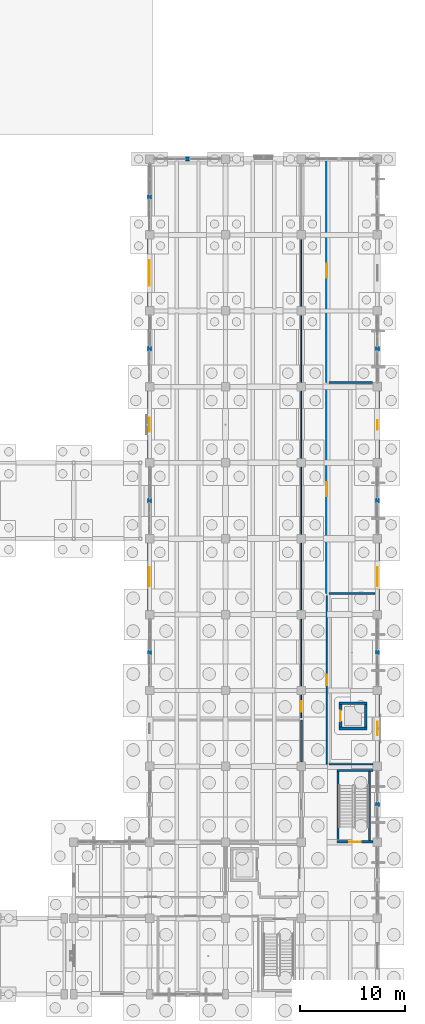
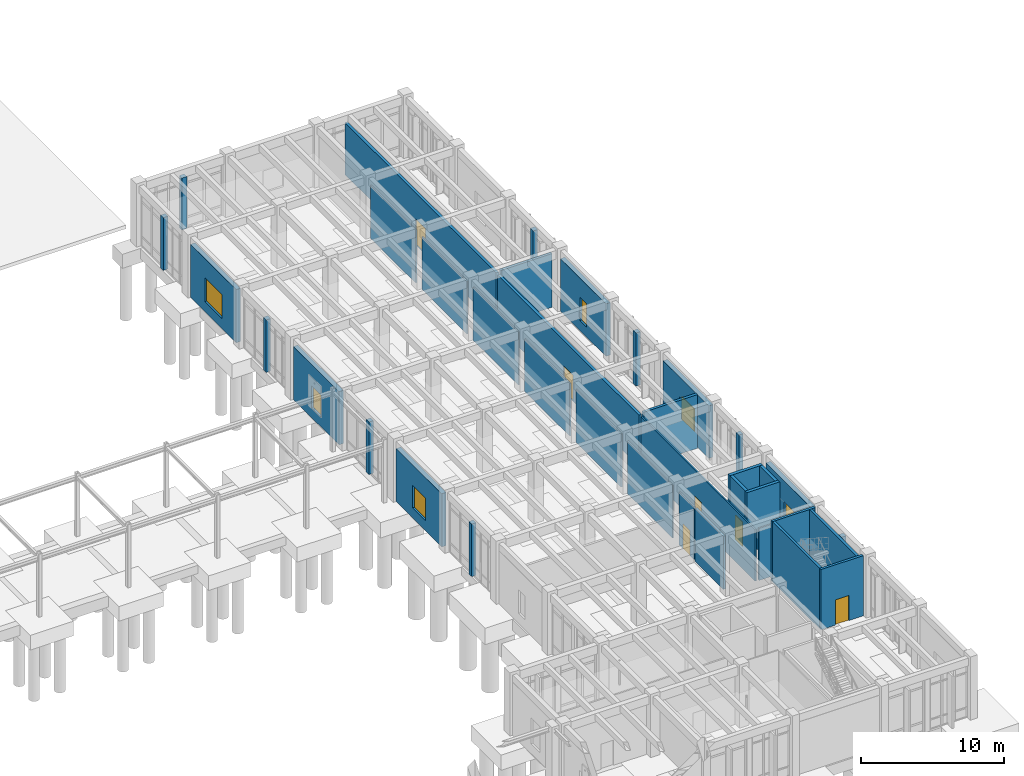
# One storey, part 71 of 93: 37 walls, 6 doors, 6 windows, 12 openings.
"""IFC4 building model written with IfcOpenShell, lengths in metres."""

from ifc_helpers import new_model, si_unit, direction, frame, frame_2d, origin, place, context, subcontext, project, spatial, rectangle, extrude, material, layer, layer_set, type_object, element, fill, save


model = new_model("IFC4")

# Units and contexts
model_context = context("Model", 3, precision=1e-05, world=origin(), true_north=direction((0.0, 1.0)))
body_context = subcontext(model_context, "Body", "Model", "MODEL_VIEW")
ifc_project = project(units=[si_unit("LENGTHUNIT", "METRE"), si_unit("AREAUNIT", "SQUARE_METRE"), si_unit("VOLUMEUNIT", "CUBIC_METRE"), si_unit("PLANEANGLEUNIT", "RADIAN"), si_unit("MASSUNIT", "GRAM", prefix="KILO")], contexts=[model_context])

# Site, building, storey
site_placement = place(None, origin())
site = spatial("IfcSite", under=ifc_project, at=site_placement, CompositionType="ELEMENT")
building_placement = place(site_placement, origin())
building = spatial("IfcBuilding", under=site, at=building_placement, Name="Koriwan Promenade Central Fire Station", CompositionType="ELEMENT")
storey_placement = place(building_placement, origin())
storey = spatial("IfcBuildingStorey", under=building, at=storey_placement, Name="L00", CompositionType="ELEMENT", Elevation=0.0)

# Wall
ifc_material_1 = material(Name="Natural sillar sandstone ashlar", Category="masonry")
ifc_layer_1 = layer(ifc_material_1, 0.360107421875, Name="Natural sillar sandstone ashlar")
ifc_layer_set_1 = layer_set([ifc_layer_1], Name="Natural sillar sandstone ashlar")
wall_type_1 = type_object("IfcWallType", Name="ExtWall_SillarBase_360", PredefinedType="SOLIDWALL", material=ifc_layer_set_1)
wall_1_placement = place(storey_placement, frame((151.199951171875, 32.199951171875, 0.0), z_axis=(0.0, 0.0, 1.0), x_axis=(0.0, 1.0, 0.0)))
element("IfcWall", 1, at=wall_1_placement, inside=storey, type_object=wall_type_1, Name="V5 L00 sillar facade mullion pier 214", PredefinedType="SOLIDWALL", context=body_context, shape_type="SweptSolid", body=[
    extrude(rectangle(XDim=0.400146484375, YDim=0.360107421875, at=frame_2d((0.2001953125, 0.0))), origin(), (0.0, 0.0, 1.0), 4.489990234375),
])

# Wall, opening, window
wall_2_placement = place(storey_placement, frame((151.199951171875, 36.39990234375, 0.0), z_axis=(0.0, 0.0, 1.0), x_axis=(0.0, 1.0, 0.0)))
wall_2 = element("IfcWall", 2, at=wall_2_placement, inside=storey, type_object=wall_type_1, Name="V5 L00 exterior wall 215", PredefinedType="SOLIDWALL", context=body_context, shape_type="SweptSolid", body=[
    extrude(rectangle(XDim=6.400146484375, YDim=0.360107421875, at=frame_2d((3.2001953125, 0.0))), origin(), (0.0, 0.0, 1.0), 4.5400390625),
])
opening_1_placement = place(wall_2_placement, frame((2.300048828125, 0.0, 0.85009765625)))
opening_1 = element("IfcOpeningElement", 3, at=opening_1_placement, cuts=wall_2, Name="Opening W-06", PredefinedType="OPENING", context=body_context, shape_type="SweptSolid", body=[
    extrude(rectangle(XDim=1.800048828125, YDim=1.949951171875, at=frame_2d((0.89990234375, 0.97509765625))), frame((0.0, 0.19189453125, 0.0), z_axis=(0.0, -1.0, 0.0), x_axis=(1.0, 0.0, 0.0)), (0.0, 0.0, 1.0), 0.384033203125),
])
ifc_material_2 = material(Name="Solar-control low-E laminated double glazing", Category="glass")
window_type_1 = type_object("IfcWindowType", Name="Win_HQ_1800x1950", PartitioningType="SINGLE_PANEL", PredefinedType="WINDOW", material=ifc_material_2)
window_1_placement = place(opening_1_placement, origin())
window_1 = element("IfcWindow", 4, at=window_1_placement, inside=storey, type_object=window_type_1, Name="V5 L00 window 0087", OverallHeight=1.949951171875, OverallWidth=1.800048828125, PartitioningType="SINGLE_PANEL", PredefinedType="WINDOW", context=body_context, shape_type="SweptSolid", body=[
    extrude(rectangle(XDim=1.800048828125, YDim=1.949951171875, at=frame_2d((0.89990234375, 0.97509765625))), frame((0.0, 0.030029296875, 0.0), z_axis=(0.0, -1.0, 0.0), x_axis=(1.0, 0.0, 0.0)), (0.0, 0.0, 1.0), 0.06005859375),
])
fill(opening_1, window_1)

# Wall
wall_3_placement = place(storey_placement, frame((151.199951171875, 46.60009765625, 0.0), z_axis=(0.0, 0.0, 1.0), x_axis=(0.0, 1.0, 0.0)))
element("IfcWall", 5, at=wall_3_placement, inside=storey, type_object=wall_type_1, Name="V5 L00 sillar facade mullion pier 216", PredefinedType="SOLIDWALL", context=body_context, shape_type="SweptSolid", body=[
    extrude(rectangle(XDim=0.39990234375, YDim=0.360107421875, at=frame_2d((0.199951171875, 0.0))), origin(), (0.0, 0.0, 1.0), 4.489990234375),
])

# Wall, opening, window
wall_4_placement = place(storey_placement, frame((151.199951171875, 50.800048828125, 0.0), z_axis=(0.0, 0.0, 1.0), x_axis=(0.0, 1.0, 0.0)))
wall_4 = element("IfcWall", 6, at=wall_4_placement, inside=storey, type_object=wall_type_1, Name="V5 L00 exterior wall 217", PredefinedType="SOLIDWALL", context=body_context, shape_type="SweptSolid", body=[
    extrude(rectangle(XDim=6.39990234375, YDim=0.360107421875, at=frame_2d((3.199951171875, 0.0))), origin(), (0.0, 0.0, 1.0), 4.5400390625),
])
opening_2_placement = place(wall_4_placement, frame((2.550048828125, 0.0, 0.85009765625)))
opening_2 = element("IfcOpeningElement", 7, at=opening_2_placement, cuts=wall_4, Name="Opening W-10", PredefinedType="OPENING", context=body_context, shape_type="SweptSolid", body=[
    extrude(rectangle(XDim=1.300048828125, YDim=1.85009765625, at=frame_2d((0.64990234375, 0.925048828125))), frame((0.0, 0.19189453125, 0.0), z_axis=(0.0, -1.0, 0.0), x_axis=(1.0, 0.0, 0.0)), (0.0, 0.0, 1.0), 0.384033203125),
])
window_type_2 = type_object("IfcWindowType", Name="Win_Drill_1300x1850", PartitioningType="SINGLE_PANEL", PredefinedType="WINDOW", material=ifc_material_2)
window_2_placement = place(opening_2_placement, origin())
window_2 = element("IfcWindow", 8, at=window_2_placement, inside=storey, type_object=window_type_2, Name="V5 L00 window 0088", OverallHeight=1.85009765625, OverallWidth=1.300048828125, PartitioningType="SINGLE_PANEL", PredefinedType="WINDOW", context=body_context, shape_type="SweptSolid", body=[
    extrude(rectangle(XDim=1.300048828125, YDim=1.85009765625, at=frame_2d((0.64990234375, 0.925048828125))), frame((0.0, 0.030029296875, 0.0), z_axis=(0.0, -1.0, 0.0), x_axis=(1.0, 0.0, 0.0)), (0.0, 0.0, 1.0), 0.06005859375),
])
fill(opening_2, window_2)

# Wall
wall_5_placement = place(storey_placement, frame((151.199951171875, 61.0, 0.0), z_axis=(0.0, 0.0, 1.0), x_axis=(0.0, 1.0, 0.0)))
element("IfcWall", 9, at=wall_5_placement, inside=storey, type_object=wall_type_1, Name="V5 L00 sillar facade mullion pier 218", PredefinedType="SOLIDWALL", context=body_context, shape_type="SweptSolid", body=[
    extrude(rectangle(XDim=0.39990234375, YDim=0.360107421875, at=frame_2d((0.199951171875, 0.0))), origin(), (0.0, 0.0, 1.0), 4.489990234375),
])

# Wall, opening, window
wall_6_placement = place(storey_placement, frame((151.199951171875, 65.199951171875, 0.0), z_axis=(0.0, 0.0, 1.0), x_axis=(0.0, 1.0, 0.0)))
wall_6 = element("IfcWall", 10, at=wall_6_placement, inside=storey, type_object=wall_type_1, Name="V5 L00 exterior wall 219", PredefinedType="SOLIDWALL", context=body_context, shape_type="SweptSolid", body=[
    extrude(rectangle(XDim=6.400146484375, YDim=0.360107421875, at=frame_2d((3.2001953125, 0.0))), origin(), (0.0, 0.0, 1.0), 4.5400390625),
])
opening_3_placement = place(wall_6_placement, frame((2.0, 0.0, 0.85009765625)))
opening_3 = element("IfcOpeningElement", 11, at=opening_3_placement, cuts=wall_6, Name="Opening W-12", PredefinedType="OPENING", context=body_context, shape_type="SweptSolid", body=[
    extrude(rectangle(XDim=2.39990234375, YDim=2.050048828125, at=frame_2d((1.199951171875, 1.02490234375))), frame((0.0, 0.19189453125, 0.0), z_axis=(0.0, -1.0, 0.0), x_axis=(1.0, 0.0, 0.0)), (0.0, 0.0, 1.0), 0.384033203125),
])
window_type_3 = type_object("IfcWindowType", Name="Win_Pavilion_2400x2050", PartitioningType="SINGLE_PANEL", PredefinedType="WINDOW", material=ifc_material_2)
window_3_placement = place(opening_3_placement, origin())
window_3 = element("IfcWindow", 12, at=window_3_placement, inside=storey, type_object=window_type_3, Name="V5 L00 window 0089", OverallHeight=2.050048828125, OverallWidth=2.39990234375, PartitioningType="SINGLE_PANEL", PredefinedType="WINDOW", context=body_context, shape_type="SweptSolid", body=[
    extrude(rectangle(XDim=2.39990234375, YDim=2.050048828125, at=frame_2d((1.199951171875, 1.02490234375))), frame((0.0, 0.030029296875, 0.0), z_axis=(0.0, -1.0, 0.0), x_axis=(1.0, 0.0, 0.0)), (0.0, 0.0, 1.0), 0.06005859375),
])
fill(opening_3, window_3)

# Walls
wall_7_placement = place(storey_placement, frame((151.199951171875, 75.39990234375, 0.0), z_axis=(0.0, 0.0, 1.0), x_axis=(0.0, 1.0, 0.0)))
element("IfcWall", 13, at=wall_7_placement, inside=storey, type_object=wall_type_1, Name="V5 L00 sillar facade mullion pier 220", PredefinedType="SOLIDWALL", context=body_context, shape_type="SweptSolid", body=[
    extrude(rectangle(XDim=0.400146484375, YDim=0.360107421875, at=frame_2d((0.2001953125, 0.0))), origin(), (0.0, 0.0, 1.0), 4.5),
])
wall_8_placement = place(storey_placement, frame((154.60009765625, 79.199951171875, 0.0), z_axis=(0.0, 0.0, 1.0), x_axis=(1.0, 0.0, 0.0)))
element("IfcWall", 14, at=wall_8_placement, inside=storey, type_object=wall_type_1, Name="V5 L00 sillar facade mullion pier 221", PredefinedType="SOLIDWALL", context=body_context, shape_type="SweptSolid", body=[
    extrude(rectangle(XDim=0.39990234375, YDim=0.360107421875, at=frame_2d((0.199951171875, 0.0))), origin(), (0.0, 0.0, 1.0), 4.449951171875),
])
wall_9_placement = place(storey_placement, frame((172.800048828125, 61.39990234375, 0.0), z_axis=(0.0, 0.0, 1.0), x_axis=(0.0, -1.0, 0.0)))
element("IfcWall", 15, at=wall_9_placement, inside=storey, type_object=wall_type_1, Name="V5 L00 sillar facade mullion pier 226", PredefinedType="SOLIDWALL", context=body_context, shape_type="SweptSolid", body=[
    extrude(rectangle(XDim=0.39990234375, YDim=0.360107421875, at=frame_2d((0.199951171875, 0.0))), origin(), (0.0, 0.0, 1.0), 4.5400390625),
])

# Wall, opening, window
wall_10_placement = place(storey_placement, frame((172.800048828125, 57.199951171875, 0.0), z_axis=(0.0, 0.0, 1.0), x_axis=(0.0, -1.0, 0.0)))
wall_10 = element("IfcWall", 16, at=wall_10_placement, inside=storey, type_object=wall_type_1, Name="V5 L00 exterior wall 227", PredefinedType="SOLIDWALL", context=body_context, shape_type="SweptSolid", body=[
    extrude(rectangle(XDim=6.39990234375, YDim=0.360107421875, at=frame_2d((3.199951171875, 0.0))), origin(), (0.0, 0.0, 1.0), 4.489990234375),
])
opening_4_placement = place(wall_10_placement, frame((2.75, 0.0, 0.85009765625)))
opening_4 = element("IfcOpeningElement", 17, at=opening_4_placement, cuts=wall_10, Name="Opening W-04", PredefinedType="OPENING", context=body_context, shape_type="SweptSolid", body=[
    extrude(rectangle(XDim=0.89990234375, YDim=2.0, at=frame_2d((0.449951171875, 1.0))), frame((0.0, 0.19189453125, 0.0), z_axis=(0.0, -1.0, 0.0), x_axis=(1.0, 0.0, 0.0)), (0.0, 0.0, 1.0), 0.384033203125),
])
window_type_4 = type_object("IfcWindowType", Name="Win_HQ_900x2000", PartitioningType="SINGLE_PANEL", PredefinedType="WINDOW", material=ifc_material_2)
window_4_placement = place(opening_4_placement, origin())
window_4 = element("IfcWindow", 18, at=window_4_placement, inside=storey, type_object=window_type_4, Name="V5 L00 window 0092", OverallHeight=2.0, OverallWidth=0.89990234375, PartitioningType="SINGLE_PANEL", PredefinedType="WINDOW", context=body_context, shape_type="SweptSolid", body=[
    extrude(rectangle(XDim=0.89990234375, YDim=2.0, at=frame_2d((0.449951171875, 1.0))), frame((0.0, 0.030029296875, 0.0), z_axis=(0.0, -1.0, 0.0), x_axis=(1.0, 0.0, 0.0)), (0.0, 0.0, 1.0), 0.06005859375),
])
fill(opening_4, window_4)

# Wall
wall_11_placement = place(storey_placement, frame((172.800048828125, 47.0, 0.0), z_axis=(0.0, 0.0, 1.0), x_axis=(0.0, -1.0, 0.0)))
element("IfcWall", 19, at=wall_11_placement, inside=storey, type_object=wall_type_1, Name="V5 L00 sillar facade mullion pier 228", PredefinedType="SOLIDWALL", context=body_context, shape_type="SweptSolid", body=[
    extrude(rectangle(XDim=0.39990234375, YDim=0.360107421875, at=frame_2d((0.199951171875, 0.0))), origin(), (0.0, 0.0, 1.0), 4.5400390625),
])

# Wall, opening, window
wall_12_placement = place(storey_placement, frame((172.800048828125, 42.800048828125, 0.0), z_axis=(0.0, 0.0, 1.0), x_axis=(0.0, -1.0, 0.0)))
wall_12 = element("IfcWall", 20, at=wall_12_placement, inside=storey, type_object=wall_type_1, Name="V5 L00 exterior wall 229", PredefinedType="SOLIDWALL", context=body_context, shape_type="SweptSolid", body=[
    extrude(rectangle(XDim=6.400146484375, YDim=0.360107421875, at=frame_2d((3.2001953125, 0.0))), origin(), (0.0, 0.0, 1.0), 4.489990234375),
])
opening_5_placement = place(wall_12_placement, frame((2.300048828125, 0.0, 0.85009765625)))
opening_5 = element("IfcOpeningElement", 21, at=opening_5_placement, cuts=wall_12, Name="Opening W-06", PredefinedType="OPENING", context=body_context, shape_type="SweptSolid", body=[
    extrude(rectangle(XDim=1.800048828125, YDim=1.949951171875, at=frame_2d((0.89990234375, 0.97509765625))), frame((0.0, 0.19189453125, 0.0), z_axis=(0.0, -1.0, 0.0), x_axis=(1.0, 0.0, 0.0)), (0.0, 0.0, 1.0), 0.384033203125),
])
window_5_placement = place(opening_5_placement, origin())
window_5 = element("IfcWindow", 22, at=window_5_placement, inside=storey, type_object=window_type_1, Name="V5 L00 window 0093", OverallHeight=1.949951171875, OverallWidth=1.800048828125, PartitioningType="SINGLE_PANEL", PredefinedType="WINDOW", context=body_context, shape_type="SweptSolid", body=[
    extrude(rectangle(XDim=1.800048828125, YDim=1.949951171875, at=frame_2d((0.89990234375, 0.97509765625))), frame((0.0, 0.030029296875, 0.0), z_axis=(0.0, -1.0, 0.0), x_axis=(1.0, 0.0, 0.0)), (0.0, 0.0, 1.0), 0.06005859375),
])
fill(opening_5, window_5)

# Wall
wall_13_placement = place(storey_placement, frame((172.800048828125, 32.60009765625, 0.0), z_axis=(0.0, 0.0, 1.0), x_axis=(0.0, -1.0, 0.0)))
element("IfcWall", 23, at=wall_13_placement, inside=storey, type_object=wall_type_1, Name="V5 L00 sillar facade mullion pier 230", PredefinedType="SOLIDWALL", context=body_context, shape_type="SweptSolid", body=[
    extrude(rectangle(XDim=0.400146484375, YDim=0.360107421875, at=frame_2d((0.2001953125, 0.0))), origin(), (0.0, 0.0, 1.0), 4.5400390625),
])

# Wall, opening, window
wall_14_placement = place(storey_placement, frame((172.800048828125, 28.39990234375, 0.0), z_axis=(0.0, 0.0, 1.0), x_axis=(0.0, -1.0, 0.0)))
wall_14 = element("IfcWall", 24, at=wall_14_placement, inside=storey, type_object=wall_type_1, Name="V5 L00 exterior wall 231", PredefinedType="SOLIDWALL", context=body_context, shape_type="SweptSolid", body=[
    extrude(rectangle(XDim=6.39990234375, YDim=0.360107421875, at=frame_2d((3.199951171875, 0.0))), origin(), (0.0, 0.0, 1.0), 4.489990234375),
])
opening_6_placement = place(wall_14_placement, frame((2.550048828125, 0.0, 0.85009765625)))
opening_6 = element("IfcOpeningElement", 25, at=opening_6_placement, cuts=wall_14, Name="Opening W-10", PredefinedType="OPENING", context=body_context, shape_type="SweptSolid", body=[
    extrude(rectangle(XDim=1.300048828125, YDim=1.85009765625, at=frame_2d((0.64990234375, 0.925048828125))), frame((0.0, 0.19189453125, 0.0), z_axis=(0.0, -1.0, 0.0), x_axis=(1.0, 0.0, 0.0)), (0.0, 0.0, 1.0), 0.384033203125),
])
window_6_placement = place(opening_6_placement, origin())
window_6 = element("IfcWindow", 26, at=window_6_placement, inside=storey, type_object=window_type_2, Name="V5 L00 window 0094", OverallHeight=1.85009765625, OverallWidth=1.300048828125, PartitioningType="SINGLE_PANEL", PredefinedType="WINDOW", context=body_context, shape_type="SweptSolid", body=[
    extrude(rectangle(XDim=1.300048828125, YDim=1.85009765625, at=frame_2d((0.64990234375, 0.925048828125))), frame((0.0, 0.030029296875, 0.0), z_axis=(0.0, -1.0, 0.0), x_axis=(1.0, 0.0, 0.0)), (0.0, 0.0, 1.0), 0.06005859375),
])
fill(opening_6, window_6)

# Wall
wall_15_placement = place(storey_placement, frame((172.800048828125, 18.199951171875, 0.0), z_axis=(0.0, 0.0, 1.0), x_axis=(0.0, -1.0, 0.0)))
element("IfcWall", 27, at=wall_15_placement, inside=storey, type_object=wall_type_1, Name="V5 L00 sillar facade mullion pier 232", PredefinedType="SOLIDWALL", context=body_context, shape_type="SweptSolid", body=[
    extrude(rectangle(XDim=0.39990234375, YDim=0.360107421875, at=frame_2d((0.199951171875, 0.0))), origin(), (0.0, 0.0, 1.0), 4.5400390625),
])

# Wall, opening, door
ifc_material_3 = material(Name="Gypsum board acoustic stud partition", Category="gypsum")
ifc_layer_2 = layer(ifc_material_3, 0.10009765625, Name="Gypsum board acoustic stud partition")
ifc_layer_set_2 = layer_set([ifc_layer_2], Name="Gypsum board acoustic stud partition")
wall_type_2 = type_object("IfcWallType", Name="IntWall_Drywall_100", PredefinedType="PARTITIONING", material=ifc_layer_set_2)
wall_16_placement = place(storey_placement, frame((165.60009765625, 26.219970703125, 0.0), z_axis=(0.0, 0.0, 1.0), x_axis=(0.0, 1.0, 0.0)))
wall_16 = element("IfcWall", 28, at=wall_16_placement, inside=storey, type_object=wall_type_2, Name="Hydrant Mapping and Engineering Office partition E", PredefinedType="PARTITIONING", context=body_context, shape_type="SweptSolid", body=[
    extrude(rectangle(XDim=2.14013671875, YDim=0.10009765625, at=frame_2d((1.070068359375, 0.0))), origin(), (0.0, 0.0, 1.0), 4.5380859375),
])
opening_7_placement = place(wall_16_placement, frame((0.570068359375, 0.0, 0.0)))
opening_7 = element("IfcOpeningElement", 29, at=opening_7_placement, cuts=wall_16, Name="Opening D-156", PredefinedType="OPENING", context=body_context, shape_type="SweptSolid", body=[
    extrude(rectangle(XDim=1.0, YDim=2.14990234375, at=frame_2d((0.5, 1.074951171875))), frame((0.0, 0.06201171875, 0.0), z_axis=(0.0, -1.0, 0.0), x_axis=(1.0, 0.0, 0.0)), (0.0, 0.0, 1.0), 0.1240234375),
])
ifc_material_4 = material(Name="Hardwood veneer solid-core timber", Category="wood")
door_type_1 = type_object("IfcDoorType", Name="RoomDoor_Office_1000x2150", OperationType="NOTDEFINED", PredefinedType="DOOR", material=ifc_material_4)
door_1_placement = place(opening_7_placement, origin())
door_1 = element("IfcDoor", 30, at=door_1_placement, inside=storey, type_object=door_type_1, Name="Hydrant Mapping and Engineering Office Door D-156", OperationType="SINGLE_SWING_RIGHT", OverallHeight=2.14990234375, OverallWidth=1.0, PredefinedType="DOOR", context=body_context, shape_type="SweptSolid", body=[
    extrude(rectangle(XDim=1.0, YDim=2.14990234375, at=frame_2d((0.5, 1.074951171875))), frame((0.0, 0.02490234375, 0.0), z_axis=(0.0, -1.0, 0.0), x_axis=(1.0, 0.0, 0.0)), (0.0, 0.0, 1.0), 0.050048828125),
])
fill(opening_7, door_1)

# Walls
wall_17_placement = place(storey_placement, frame((165.60009765625, 29.239990234375, 0.0), z_axis=(0.0, 0.0, 1.0), x_axis=(0.0, 1.0, 0.0)))
element("IfcWall", 31, at=wall_17_placement, inside=storey, type_object=wall_type_2, Name="Hydrant Mapping and Engineering Office partition E", PredefinedType="PARTITIONING", context=body_context, shape_type="SweptSolid", body=[
    extrude(rectangle(XDim=6.320068359375, YDim=0.10009765625, at=frame_2d((3.16015625, 0.0))), origin(), (0.0, 0.0, 1.0), 4.488037109375),
])
wall_18_placement = place(storey_placement, frame((165.60009765625, 36.43994140625, 0.0), z_axis=(0.0, 0.0, 1.0), x_axis=(0.0, 1.0, 0.0)))
element("IfcWall", 32, at=wall_18_placement, inside=storey, type_object=wall_type_2, Name="Hydrant Mapping and Engineering Office partition E", PredefinedType="PARTITIONING", context=body_context, shape_type="SweptSolid", body=[
    extrude(rectangle(XDim=6.320068359375, YDim=0.10009765625, at=frame_2d((3.16015625, 0.0))), origin(), (0.0, 0.0, 1.0), 4.5380859375),
])
wall_19_placement = place(storey_placement, frame((165.60009765625, 43.639892578125, 0.0), z_axis=(0.0, 0.0, 1.0), x_axis=(0.0, 1.0, 0.0)))
element("IfcWall", 33, at=wall_19_placement, inside=storey, type_object=wall_type_2, Name="Hydrant Mapping and Engineering Office partition E", PredefinedType="PARTITIONING", context=body_context, shape_type="SweptSolid", body=[
    extrude(rectangle(XDim=6.320068359375, YDim=0.10009765625, at=frame_2d((3.16015625, 0.0))), origin(), (0.0, 0.0, 1.0), 4.488037109375),
])
wall_20_placement = place(storey_placement, frame((165.60009765625, 50.840087890625, 0.0), z_axis=(0.0, 0.0, 1.0), x_axis=(0.0, 1.0, 0.0)))
element("IfcWall", 34, at=wall_20_placement, inside=storey, type_object=wall_type_2, Name="Hydrant Mapping and Engineering Office partition E", PredefinedType="PARTITIONING", context=body_context, shape_type="SweptSolid", body=[
    extrude(rectangle(XDim=6.31982421875, YDim=0.10009765625, at=frame_2d((3.159912109375, 0.0))), origin(), (0.0, 0.0, 1.0), 4.5380859375),
])
wall_21_placement = place(storey_placement, frame((165.60009765625, 58.0400390625, 0.0), z_axis=(0.0, 0.0, 1.0), x_axis=(0.0, 1.0, 0.0)))
element("IfcWall", 35, at=wall_21_placement, inside=storey, type_object=wall_type_2, Name="Hydrant Mapping and Engineering Office partition E", PredefinedType="PARTITIONING", context=body_context, shape_type="SweptSolid", body=[
    extrude(rectangle(XDim=6.320068359375, YDim=0.10009765625, at=frame_2d((3.16015625, 0.0))), origin(), (0.0, 0.0, 1.0), 4.488037109375),
])
wall_22_placement = place(storey_placement, frame((165.60009765625, 65.239990234375, 0.0), z_axis=(0.0, 0.0, 1.0), x_axis=(0.0, 1.0, 0.0)))
element("IfcWall", 36, at=wall_22_placement, inside=storey, type_object=wall_type_2, Name="Hydrant Mapping and Engineering Office partition E", PredefinedType="PARTITIONING", context=body_context, shape_type="SweptSolid", body=[
    extrude(rectangle(XDim=6.320068359375, YDim=0.10009765625, at=frame_2d((3.16015625, 0.0))), origin(), (0.0, 0.0, 1.0), 4.5380859375),
])

# Wall, opening, door
ifc_layer_3 = layer(ifc_material_3, 0.1201171875, Name="Gypsum board acoustic stud partition")
ifc_layer_set_3 = layer_set([ifc_layer_3], Name="Gypsum board acoustic stud partition")
wall_type_3 = type_object("IfcWallType", Name="IntWall_Drywall_120", PredefinedType="PARTITIONING", material=ifc_layer_set_3)
wall_23_placement = place(storey_placement, frame((168.0, 21.800048828125, 0.0), z_axis=(0.0, 0.0, 1.0), x_axis=(0.0, 1.0, 0.0)))
wall_23 = element("IfcWall", 37, at=wall_23_placement, inside=storey, type_object=wall_type_3, Name="Logistics and Quartermaster Office partition W", PredefinedType="PARTITIONING", context=body_context, shape_type="SweptSolid", body=[
    extrude(rectangle(XDim=15.97998046875, YDim=0.1201171875, at=frame_2d((7.989990234375, 0.0))), origin(), (0.0, 0.0, 1.0), 4.387939453125),
])
opening_8_placement = place(wall_23_placement, frame((7.489990234375, 0.0, 0.0)))
opening_8 = element("IfcOpeningElement", 38, at=opening_8_placement, cuts=wall_23, Name="Opening D-154", PredefinedType="OPENING", context=body_context, shape_type="SweptSolid", body=[
    extrude(rectangle(XDim=1.0, YDim=2.14990234375, at=frame_2d((0.5, 1.074951171875))), frame((0.0, 0.072021484375, 0.0), z_axis=(0.0, -1.0, 0.0), x_axis=(1.0, 0.0, 0.0)), (0.0, 0.0, 1.0), 0.14404296875),
])
door_2_placement = place(opening_8_placement, origin())
door_2 = element("IfcDoor", 39, at=door_2_placement, inside=storey, type_object=door_type_1, Name="Logistics and Quartermaster Office Door D-154", OperationType="SINGLE_SWING_RIGHT", OverallHeight=2.14990234375, OverallWidth=1.0, PredefinedType="DOOR", context=body_context, shape_type="SweptSolid", body=[
    extrude(rectangle(XDim=1.0, YDim=2.14990234375, at=frame_2d((0.5, 1.074951171875))), frame((0.0, 0.02490234375, 0.0), z_axis=(0.0, -1.0, 0.0), x_axis=(1.0, 0.0, 0.0)), (0.0, 0.0, 1.0), 0.050048828125),
])
fill(opening_8, door_2)

# Wall
wall_24_placement = place(storey_placement, frame((168.219970703125, 21.800048828125, 0.0), z_axis=(0.0, 0.0, 1.0), x_axis=(1.0, 0.0, 0.0)))
element("IfcWall", 40, at=wall_24_placement, inside=storey, type_object=wall_type_3, Name="Logistics and Quartermaster Office partition S", PredefinedType="PARTITIONING", context=body_context, shape_type="SweptSolid", body=[
    extrude(rectangle(XDim=4.14013671875, YDim=0.1201171875, at=frame_2d((2.070068359375, 0.0))), origin(), (0.0, 0.0, 1.0), 4.43798828125),
])

# Wall, opening, door
ifc_material_5 = material(Name="Concrete C35/45 compartment wall", Category="concrete")
ifc_layer_4 = layer(ifc_material_5, 0.219970703125, Name="Concrete C35/45 compartment wall")
ifc_layer_set_4 = layer_set([ifc_layer_4], Name="Concrete C35/45 compartment wall")
wall_type_4 = type_object("IfcWallType", Name="IntWall_Plant_220", PredefinedType="STANDARD", material=ifc_layer_set_4)
wall_25_placement = place(storey_placement, frame((168.0, 58.0, 0.0), z_axis=(0.0, 0.0, 1.0), x_axis=(0.0, 1.0, 0.0)))
wall_25 = element("IfcWall", 41, at=wall_25_placement, inside=storey, type_object=wall_type_4, Name="Standby Diesel Generator Room partition W", PredefinedType="STANDARD", context=body_context, shape_type="SweptSolid", body=[
    extrude(rectangle(XDim=21.199951171875, YDim=0.219970703125, at=frame_2d((10.60009765625, 0.0))), origin(), (0.0, 0.0, 1.0), 4.43798828125),
])
opening_9_placement = place(wall_25_placement, frame((9.925048828125, 0.0, 0.0)))
opening_9 = element("IfcOpeningElement", 42, at=opening_9_placement, cuts=wall_25, Name="Opening D-152", PredefinedType="OPENING", context=body_context, shape_type="SweptSolid", body=[
    extrude(rectangle(XDim=1.35009765625, YDim=2.199951171875, at=frame_2d((0.675048828125, 1.10009765625))), frame((0.0, 0.1220703125, 0.0), z_axis=(0.0, -1.0, 0.0), x_axis=(1.0, 0.0, 0.0)), (0.0, 0.0, 1.0), 0.243896484375),
])
ifc_material_6 = material(Name="Painted galvanized fire-door steel", Category="steel")
door_type_2 = type_object("IfcDoorType", Name="FireDoor_Plant_1350x2200", OperationType="NOTDEFINED", PredefinedType="DOOR", material=ifc_material_6)
door_3_placement = place(opening_9_placement, origin())
door_3 = element("IfcDoor", 43, at=door_3_placement, inside=storey, type_object=door_type_2, Name="Standby Diesel Generator Room Door D-152", OperationType="SINGLE_SWING_RIGHT", OverallHeight=2.199951171875, OverallWidth=1.35009765625, PredefinedType="DOOR", context=body_context, shape_type="SweptSolid", body=[
    extrude(rectangle(XDim=1.35009765625, YDim=2.199951171875, at=frame_2d((0.675048828125, 1.10009765625))), frame((0.0, 0.02490234375, 0.0), z_axis=(0.0, -1.0, 0.0), x_axis=(1.0, 0.0, 0.0)), (0.0, 0.0, 1.0), 0.050048828125),
])
fill(opening_9, door_3)

# Wall
wall_26_placement = place(storey_placement, frame((168.219970703125, 58.0, 0.0), z_axis=(0.0, 0.0, 1.0), x_axis=(1.0, 0.0, 0.0)))
element("IfcWall", 44, at=wall_26_placement, inside=storey, type_object=wall_type_4, Name="Standby Diesel Generator Room partition S", PredefinedType="STANDARD", context=body_context, shape_type="SweptSolid", body=[
    extrude(rectangle(XDim=4.14013671875, YDim=0.219970703125, at=frame_2d((2.070068359375, 0.0))), origin(), (0.0, 0.0, 1.0), 4.587890625),
])

# Wall, opening, door
wall_27_placement = place(storey_placement, frame((168.0, 38.0, 0.0), z_axis=(0.0, 0.0, 1.0), x_axis=(0.0, 1.0, 0.0)))
wall_27 = element("IfcWall", 45, at=wall_27_placement, inside=storey, type_object=wall_type_4, Name="Medium-Voltage Electrical Substation partition W", PredefinedType="STANDARD", context=body_context, shape_type="SweptSolid", body=[
    extrude(rectangle(XDim=19.780029296875, YDim=0.219970703125, at=frame_2d((9.89013671875, 0.0))), origin(), (0.0, 0.0, 1.0), 4.387939453125),
])
opening_10_placement = place(wall_27_placement, frame((9.215087890625, 0.0, 0.0)))
opening_10 = element("IfcOpeningElement", 46, at=opening_10_placement, cuts=wall_27, Name="Opening D-153", PredefinedType="OPENING", context=body_context, shape_type="SweptSolid", body=[
    extrude(rectangle(XDim=1.35009765625, YDim=2.199951171875, at=frame_2d((0.675048828125, 1.10009765625))), frame((0.0, 0.1220703125, 0.0), z_axis=(0.0, -1.0, 0.0), x_axis=(1.0, 0.0, 0.0)), (0.0, 0.0, 1.0), 0.243896484375),
])
door_4_placement = place(opening_10_placement, origin())
door_4 = element("IfcDoor", 47, at=door_4_placement, inside=storey, type_object=door_type_2, Name="Medium-Voltage Electrical Substation Door D-153", OperationType="SINGLE_SWING_LEFT", OverallHeight=2.199951171875, OverallWidth=1.35009765625, PredefinedType="DOOR", context=body_context, shape_type="SweptSolid", body=[
    extrude(rectangle(XDim=1.35009765625, YDim=2.199951171875, at=frame_2d((0.675048828125, 1.10009765625))), frame((0.0, 0.02490234375, 0.0), z_axis=(0.0, -1.0, 0.0), x_axis=(1.0, 0.0, 0.0)), (0.0, 0.0, 1.0), 0.050048828125),
])
fill(opening_10, door_4)

# Walls
wall_28_placement = place(storey_placement, frame((168.219970703125, 38.0, 0.0), z_axis=(0.0, 0.0, 1.0), x_axis=(1.0, 0.0, 0.0)))
element("IfcWall", 48, at=wall_28_placement, inside=storey, type_object=wall_type_4, Name="Medium-Voltage Electrical Substation partition S", PredefinedType="STANDARD", context=body_context, shape_type="SweptSolid", body=[
    extrude(rectangle(XDim=4.360107421875, YDim=0.219970703125, at=frame_2d((2.18017578125, 0.0))), origin(), (0.0, 0.0, 1.0), 4.587890625),
])
ifc_material_7 = material(Name="Moisture-resistant sanitary chase wall", Category="gypsum")
ifc_layer_5 = layer(ifc_material_7, 0.179931640625, Name="Moisture-resistant sanitary chase wall")
ifc_layer_set_5 = layer_set([ifc_layer_5], Name="Moisture-resistant sanitary chase wall")
wall_type_5 = type_object("IfcWallType", Name="IntWall_Plumbing_180", PredefinedType="PLUMBINGWALL", material=ifc_layer_set_5)
wall_29_placement = place(storey_placement, frame((165.60009765625, 22.0400390625, 0.0), z_axis=(0.0, 0.0, 1.0), x_axis=(0.0, 1.0, 0.0)))
element("IfcWall", 49, at=wall_29_placement, inside=storey, type_object=wall_type_5, Name="Headquarters L00 Male Female and Accessible WCs partition E", PredefinedType="PLUMBINGWALL", context=body_context, shape_type="SweptSolid", body=[
    extrude(rectangle(XDim=3.9599609375, YDim=0.179931640625, at=frame_2d((1.97998046875, 0.0))), origin(), (0.0, 0.0, 1.0), 4.5380859375),
])

# Wall, opening, door
ifc_material_8 = material(Name="Concrete C40/50", Category="concrete")
ifc_layer_6 = layer(ifc_material_8, 0.199951171875, Name="Concrete C40/50")
ifc_layer_set_6 = layer_set([ifc_layer_6], Name="Concrete C40/50")
wall_type_6 = type_object("IfcWallType", Name="ShearWall_200", PredefinedType="SHEAR", material=ifc_layer_set_6)
wall_30_placement = place(storey_placement, frame((168.9599609375, 14.449951171875, 0.0), z_axis=(0.0, 0.0, 1.0), x_axis=(1.0, 0.0, 0.0)))
wall_30 = element("IfcWall", 50, at=wall_30_placement, inside=storey, type_object=wall_type_6, Name="ST27 L00 structural stair wall S", PredefinedType="SHEAR", context=body_context, shape_type="SweptSolid", body=[
    extrude(rectangle(XDim=3.43994140625, YDim=0.199951171875, at=frame_2d((1.719970703125, 0.0))), origin(), (0.0, 0.0, 1.0), 5.14990234375),
])
opening_11_placement = place(wall_30_placement, frame((1.169921875, 0.0, 0.0)))
opening_11 = element("IfcOpeningElement", 51, at=opening_11_placement, cuts=wall_30, Name="Opening SD-038", PredefinedType="OPENING", context=body_context, shape_type="SweptSolid", body=[
    extrude(rectangle(XDim=1.10009765625, YDim=2.14990234375, at=frame_2d((0.550048828125, 1.074951171875))), frame((0.0, 0.11181640625, 0.0), z_axis=(0.0, -1.0, 0.0), x_axis=(1.0, 0.0, 0.0)), (0.0, 0.0, 1.0), 0.223876953125),
])
door_type_3 = type_object("IfcDoorType", Name="FireDoor_Stair_1100x2150", OperationType="NOTDEFINED", PredefinedType="DOOR", material=ifc_material_6)
door_5_placement = place(opening_11_placement, frame((1.10009765625, 0.0, 0.0), z_axis=(0.0, 0.0, 1.0), x_axis=(-1.0, 0.0, 0.0)))
door_5 = element("IfcDoor", 52, at=door_5_placement, inside=storey, type_object=door_type_3, Name="Protected Stair ST27 Fire Door SD-038", OperationType="SINGLE_SWING_LEFT", OverallHeight=2.14990234375, OverallWidth=1.10009765625, PredefinedType="DOOR", context=body_context, shape_type="SweptSolid", body=[
    extrude(rectangle(XDim=1.10009765625, YDim=2.14990234375, at=frame_2d((0.550048828125, 1.074951171875))), frame((0.0, 0.02490234375, 0.0), z_axis=(0.0, -1.0, 0.0), x_axis=(1.0, 0.0, 0.0)), (0.0, 0.0, 1.0), 0.050048828125),
])
fill(opening_11, door_5)

# Walls
wall_31_placement = place(storey_placement, frame((168.9599609375, 21.2099609375, 0.0), z_axis=(0.0, 0.0, 1.0), x_axis=(1.0, 0.0, 0.0)))
element("IfcWall", 53, at=wall_31_placement, inside=storey, type_object=wall_type_6, Name="ST27 L00 structural stair wall N", PredefinedType="SHEAR", context=body_context, shape_type="SweptSolid", body=[
    extrude(rectangle(XDim=3.43994140625, YDim=0.199951171875, at=frame_2d((1.719970703125, 0.0))), origin(), (0.0, 0.0, 1.0), 5.14990234375),
])
for number, where, z_axis, x_axis, name in (
    (54, (169.06005859375, 14.550048828125, 0.0), (0.0, 0.0, 1.0), (0.0, 1.0, 0.0), "ST27 L00 structural stair wall W"),
    (55, (172.050048828125, 14.550048828125, 0.0), (0.0, 0.0, 1.0), (0.0, 1.0, 0.0), "ST27 L00 structural stair wall E"),
):
    element("IfcWall", number, at=place(storey_placement, frame(where, z_axis=z_axis, x_axis=x_axis)), inside=storey, type_object=wall_type_6, Name=name, PredefinedType="SHEAR", context=body_context, shape_type="SweptSolid", body=[
        extrude(rectangle(XDim=6.56005859375, YDim=0.199951171875, at=frame_2d((3.280029296875, 0.0))), origin(), (0.0, 0.0, 1.0), 5.14990234375),
    ])
ifc_layer_7 = layer(ifc_material_8, 0.25, Name="Concrete C40/50")
ifc_layer_set_7 = layer_set([ifc_layer_7], Name="Concrete C40/50")
wall_type_7 = type_object("IfcWallType", Name="ShearWall_250", PredefinedType="SHEAR", material=ifc_layer_set_7)
for number, where, z_axis, x_axis, name in (
    (56, (169.175048828125, 25.199951171875, 0.0), (0.0, 0.0, 1.0), (1.0, 0.0, 0.0), "LP01 shaft wall S (L00)"),
    (57, (169.175048828125, 27.60009765625, 0.0), (0.0, 0.0, 1.0), (1.0, 0.0, 0.0), "LP01 shaft wall N (L00)"),
):
    element("IfcWall", number, at=place(storey_placement, frame(where, z_axis=z_axis, x_axis=x_axis)), inside=storey, type_object=wall_type_7, Name=name, PredefinedType="SHEAR", context=body_context, shape_type="SweptSolid", body=[
        extrude(rectangle(XDim=2.64990234375, YDim=0.25, at=frame_2d((1.324951171875, 0.0))), origin(), (0.0, 0.0, 1.0), 5.14990234375),
    ])

# Wall, opening, door
wall_32_placement = place(storey_placement, frame((169.300048828125, 25.324951171875, 0.0), z_axis=(0.0, 0.0, 1.0), x_axis=(0.0, 1.0, 0.0)))
wall_32 = element("IfcWall", 58, at=wall_32_placement, inside=storey, type_object=wall_type_7, Name="LP01 shaft wall W (L00)", PredefinedType="SHEAR", context=body_context, shape_type="SweptSolid", body=[
    extrude(rectangle(XDim=2.150146484375, YDim=0.25, at=frame_2d((1.0751953125, 0.0))), origin(), (0.0, 0.0, 1.0), 5.14990234375),
])
opening_12_placement = place(wall_32_placement, frame((0.574951171875, 0.0, 0.0)))
opening_12 = element("IfcOpeningElement", 59, at=opening_12_placement, cuts=wall_32, Name="Opening LD-LP01-L00", PredefinedType="OPENING", context=body_context, shape_type="SweptSolid", body=[
    extrude(rectangle(XDim=1.0, YDim=2.10009765625, at=frame_2d((0.5, 1.050048828125))), frame((0.0, 0.136962890625, 0.0), z_axis=(0.0, -1.0, 0.0), x_axis=(1.0, 0.0, 0.0)), (0.0, 0.0, 1.0), 0.27392578125),
])
ifc_material_9 = material(Name="Stainless steel 316", Category="steel")
door_type_4 = type_object("IfcDoorType", Name="LiftDoor_Pass_1000x2100", OperationType="SLIDING_TO_RIGHT", PredefinedType="DOOR", material=ifc_material_9)
door_6_placement = place(opening_12_placement, origin())
door_6 = element("IfcDoor", 60, at=door_6_placement, inside=storey, type_object=door_type_4, Name="Lift LP01 Sliding Landing Door LD-LP01-L00", OperationType="SLIDING_TO_RIGHT", OverallHeight=2.10009765625, OverallWidth=1.0, PredefinedType="DOOR", context=body_context, shape_type="SweptSolid", body=[
    extrude(rectangle(XDim=1.0, YDim=2.10009765625, at=frame_2d((0.5, 1.050048828125))), frame((0.0, 0.02490234375, 0.0), z_axis=(0.0, -1.0, 0.0), x_axis=(1.0, 0.0, 0.0)), (0.0, 0.0, 1.0), 0.050048828125),
])
fill(opening_12, door_6)

# Wall
wall_33_placement = place(storey_placement, frame((171.699951171875, 25.324951171875, 0.0), z_axis=(0.0, 0.0, 1.0), x_axis=(0.0, 1.0, 0.0)))
element("IfcWall", 61, at=wall_33_placement, inside=storey, type_object=wall_type_7, Name="LP01 shaft wall E (L00)", PredefinedType="SHEAR", context=body_context, shape_type="SweptSolid", body=[
    extrude(rectangle(XDim=2.150146484375, YDim=0.25, at=frame_2d((1.0751953125, 0.0))), origin(), (0.0, 0.0, 1.0), 5.14990234375),
])

save(model, "model.ifc")
